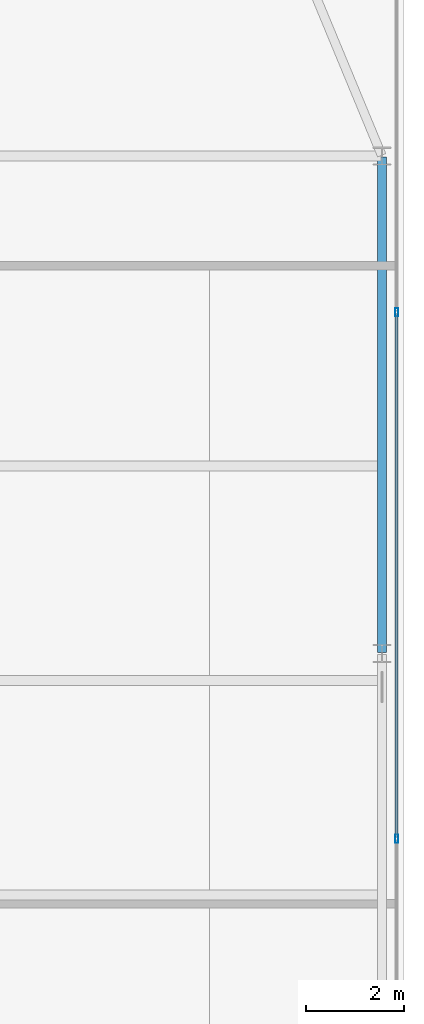
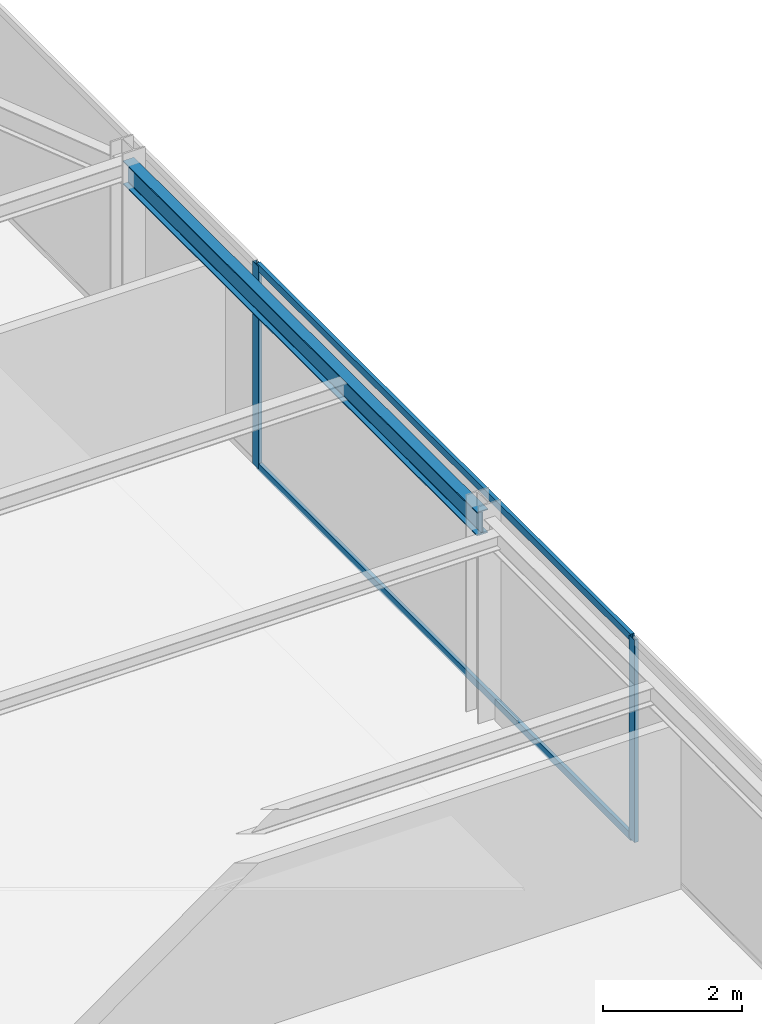
# One storey, part 18 of 31: 4 members, 1 beam, 1 element without a shape of its own.
"""IFC4 building model written with IfcOpenShell, lengths in metres."""

import ifcopenshell
import ifcopenshell.guid

model = None  # the IFC model being written
_history = None  # IfcOwnerHistory: only IFC2X3 demands one
_inside = {}  # id of a spatial element -> (the spatial element, [elements in it])
_under = {}  # id of a project, library or spatial element -> (it, [spatial elements below it])
_declared = {}  # id of a project -> (the project, [libraries it declares])
_typed = {}  # id of a type object -> (the type object, [elements of that type])
_made_of = {}  # id of a material, layer set ... -> (it, [elements and type objects made of it])


def new_model(schema):
    """Start an empty IFC model of exactly this schema.

    Asked for "IFC4X3", IfcOpenShell would pick the latest addendum, in which some entities
    have other attributes; the version numbers below select the first issue.
    IFC2X3 requires an IfcOwnerHistory on every rooted entity: one is made here for all.
    """
    global model, _history
    if schema == "IFC4X3":
        model = ifcopenshell.file(schema_version=(4, 3, 0, 0))
    else:
        model = ifcopenshell.file(schema=schema)
    _inside.clear()
    _under.clear()
    _declared.clear()
    _typed.clear()
    _made_of.clear()
    _history = None
    if model.schema == "IFC2X3":
        org = make("IfcOrganization", Name="unknown")
        user = make(
            "IfcPersonAndOrganization",
            ThePerson=make("IfcPerson", FamilyName="unknown"),
            TheOrganization=org,
        )
        app = make(
            "IfcApplication",
            ApplicationDeveloper=org,
            Version="unknown",
            ApplicationFullName="unknown",
            ApplicationIdentifier="unknown",
        )
        _history = make(
            "IfcOwnerHistory",
            OwningUser=user,
            OwningApplication=app,
            ChangeAction="ADDED",
            CreationDate=0,
        )
    return model


def make(cls, **values):
    """One entity of the class cls with the attributes given. An attribute that is None is left unset."""
    return model.create_entity(
        cls, **{name: value for name, value in values.items() if value is not None}
    )


def rooted(cls, **values):
    """An entity with a GlobalId (a new one), such as an element, a storey or a relation."""
    return make(cls, GlobalId=ifcopenshell.guid.new(), OwnerHistory=_history, **values)


def si_unit(unit_type, name, prefix=None):
    """IfcSIUnit, for example si_unit("LENGTHUNIT", "METRE", prefix="MILLI")."""
    return make("IfcSIUnit", UnitType=unit_type, Prefix=prefix, Name=name)


def assignment(units):
    """IfcUnitAssignment: the units of a project."""
    return None if units is None else make("IfcUnitAssignment", Units=units)


def point(xyz):
    """IfcCartesianPoint."""
    return None if xyz is None else make("IfcCartesianPoint", Coordinates=xyz)


def direction(xyz):
    """IfcDirection."""
    return None if xyz is None else make("IfcDirection", DirectionRatios=xyz)


def frame(location, z_axis=None, x_axis=None):
    """IfcAxis2Placement3D, a coordinate frame: its origin and axes. An axis left out is left unset."""
    return make(
        "IfcAxis2Placement3D",
        Location=point(location),
        Axis=direction(z_axis),
        RefDirection=direction(x_axis),
    )


def frame_2d(location, x_axis=None):
    """IfcAxis2Placement2D, a coordinate frame in the plane: its origin and x axis."""
    return make(
        "IfcAxis2Placement2D", Location=point(location), RefDirection=direction(x_axis)
    )


def origin():
    """The frame at (0, 0, 0) with its axes left unset."""
    return frame((0.0, 0.0, 0.0))


def origin_2d():
    """The frame at (0, 0) in the plane with its x axis left unset."""
    return frame_2d((0.0, 0.0))


def place(relative_to, where):
    """IfcLocalPlacement: puts the frame where relative to a parent placement (None: the world)."""
    return make(
        "IfcLocalPlacement", PlacementRelTo=relative_to, RelativePlacement=where
    )


def context(
    kind, dimensions, precision=None, world=None, true_north=None, identifier=None
):
    """IfcGeometricRepresentationContext, for example the 3D "Model" context."""
    return make(
        "IfcGeometricRepresentationContext",
        ContextIdentifier=identifier,
        ContextType=kind,
        CoordinateSpaceDimension=dimensions,
        Precision=precision,
        WorldCoordinateSystem=world,
        TrueNorth=true_north,
    )


def subcontext(parent, identifier, kind, view, scale=None):
    """IfcGeometricRepresentationSubContext, for example "Body" below "Model"."""
    return make(
        "IfcGeometricRepresentationSubContext",
        ContextIdentifier=identifier,
        ContextType=kind,
        ParentContext=parent,
        TargetScale=scale,
        TargetView=view,
    )


def project(units=None, contexts=None):
    """IfcProject with its units and contexts."""
    return rooted(
        "IfcProject",
        Name="project",
        RepresentationContexts=contexts,
        UnitsInContext=assignment(units),
    )


def spatial(cls, under=None, at=None, **own):
    """A site, building, storey or space (cls), placed at a placement, below another one or the project."""
    s = rooted(cls, ObjectPlacement=at, **own)
    if under is not None:
        _under.setdefault(under.id(), (under, []))[1].append(s)
    return s


def profile(cls, at=None, kind="AREA", **sizes):
    """A parametric profile (cls). Its sizes go by their IFC names, for example OverallWidth=200.0."""
    return make(cls, ProfileType=kind, Position=at, **sizes)


def hollow_rectangle(**sizes):
    """IfcRectangleHollowProfileDef."""
    return profile("IfcRectangleHollowProfileDef", **sizes)


def i_section(**sizes):
    """IfcIShapeProfileDef."""
    return profile("IfcIShapeProfileDef", **sizes)


def extrude(swept, where, along, depth):
    """IfcExtrudedAreaSolid: the profile swept, set in the frame where, extruded along a direction by depth."""
    return make(
        "IfcExtrudedAreaSolid",
        SweptArea=swept,
        Position=where,
        ExtrudedDirection=direction(along),
        Depth=depth,
    )


def shape(context_of_items, identifier, shape_type, items):
    """IfcShapeRepresentation: the items that make up one representation, for example the "Body"."""
    return make(
        "IfcShapeRepresentation",
        ContextOfItems=context_of_items,
        RepresentationIdentifier=identifier,
        RepresentationType=shape_type,
        Items=items,
    )


def source(mapping_origin, context_of_items, identifier, shape_type, items):
    """IfcRepresentationMap: a shape defined once, which mapped items show again and again."""
    return make(
        "IfcRepresentationMap",
        MappingOrigin=mapping_origin,
        MappedRepresentation=shape(context_of_items, identifier, shape_type, items),
    )


def transform(
    local_origin,
    x_axis=None,
    y_axis=None,
    z_axis=None,
    scale=None,
    scale2=None,
    scale3=None,
    uniform=True,
):
    """IfcCartesianTransformationOperator3D, or its non-uniform kind. x_axis, y_axis, z_axis: its Axis1, 2, 3."""
    if uniform:
        return make(
            "IfcCartesianTransformationOperator3D",
            Axis1=direction(x_axis),
            Axis2=direction(y_axis),
            LocalOrigin=point(local_origin),
            Scale=scale,
            Axis3=direction(z_axis),
        )
    return make(
        "IfcCartesianTransformationOperator3DnonUniform",
        Axis1=direction(x_axis),
        Axis2=direction(y_axis),
        LocalOrigin=point(local_origin),
        Scale=scale,
        Axis3=direction(z_axis),
        Scale2=scale2,
        Scale3=scale3,
    )


def mapped(mapping_source, mapping_target):
    """IfcMappedItem: shows the shape of a source again, moved by a transform."""
    return make(
        "IfcMappedItem", MappingSource=mapping_source, MappingTarget=mapping_target
    )


def material(Name=None, Category=None):
    """IfcMaterial."""
    return make("IfcMaterial", Name=Name, Category=Category)


def layer(
    of_material, thickness, ventilated=None, Name=None, Category=None, Priority=None
):
    """IfcMaterialLayer: one layer of a wall or slab, of a material (None: an air gap)."""
    return make(
        "IfcMaterialLayer",
        Material=of_material,
        LayerThickness=thickness,
        IsVentilated=ventilated,
        Name=Name,
        Category=Category,
        Priority=Priority,
    )


def layer_set(layers, Name=None):
    """IfcMaterialLayerSet."""
    return make("IfcMaterialLayerSet", MaterialLayers=layers, LayerSetName=Name)


def material_profile(
    of_material, cross_section, Name=None, Category=None, Priority=None
):
    """IfcMaterialProfile: a cross section and its material."""
    return make(
        "IfcMaterialProfile",
        Name=Name,
        Material=of_material,
        Profile=cross_section,
        Priority=Priority,
        Category=Category,
    )


def profile_set(profiles, Name=None, composite=None):
    """IfcMaterialProfileSet."""
    return make(
        "IfcMaterialProfileSet",
        Name=Name,
        MaterialProfiles=profiles,
        CompositeProfile=composite,
    )


def made_of(thing, what):
    """Note that an element or type object is made of a material, layer set ...; save() writes the relation."""
    if what is not None:
        _made_of.setdefault(what.id(), (what, []))[1].append(thing)
    return thing


def type_object(cls, material=None, **own):
    """A type object (cls), such as IfcWallType, which elements share."""
    return made_of(rooted(cls, **own), material)


def type_shapes(of_type, sources):
    """Give a type object the sources (RepresentationMaps) that its elements show as mapped items."""
    of_type.RepresentationMaps = sources


def element(
    cls,
    number,
    at=None,
    inside=None,
    cuts=None,
    type_object=None,
    material=None,
    context=None,
    identifier="Body",
    shape_type=None,
    held_by="IfcProductDefinitionShape",
    body=None,
    shapes=None,
    **own,
):
    """One element of the class cls, such as IfcWall. Its Tag is "e" and its number.

    at: its placement. inside: the storey or other place that contains it. cuts: it is an
    opening in that element (IfcRelVoidsElement). A single representation is given by context,
    identifier, shape_type and body (its items); several are given by shapes. held_by: the class
    of the entity that holds the representations. save() writes the other relations.
    """
    e = rooted(cls, Tag="e%d" % number, ObjectPlacement=at, **own)
    if body is not None:
        shapes = [shape(context, identifier, shape_type, body)]
    if shapes is not None:
        e.Representation = make(held_by, Representations=shapes)
    if inside is not None:
        _inside.setdefault(inside.id(), (inside, []))[1].append(e)
    if cuts is not None:
        rooted(
            "IfcRelVoidsElement", RelatingBuildingElement=cuts, RelatedOpeningElement=e
        )
    if type_object is not None:
        _typed.setdefault(type_object.id(), (type_object, []))[1].append(e)
    return made_of(e, material)


def aggregate(whole, parts):
    """IfcRelAggregates: a whole, such as a stair, and the parts it consists of."""
    return rooted("IfcRelAggregates", RelatingObject=whole, RelatedObjects=parts)


def save(model, path):
    """Write the relations noted so far, then the file.

    IfcRelAggregates (storeys below a building ...), IfcRelContainedInSpatialStructure (elements
    in a storey), IfcRelDefinesByType, IfcRelAssociatesMaterial and IfcRelDeclares: one each for
    every whole, place, type object, material and project.
    """
    for whole, parts in _under.values():
        aggregate(whole, parts)
    for where, things in _inside.values():
        rooted(
            "IfcRelContainedInSpatialStructure",
            RelatedElements=things,
            RelatingStructure=where,
        )
    for kind, things in _typed.values():
        rooted("IfcRelDefinesByType", RelatedObjects=things, RelatingType=kind)
    for what, things in _made_of.values():
        rooted("IfcRelAssociatesMaterial", RelatedObjects=things, RelatingMaterial=what)
    for by, libraries in _declared.values():
        rooted("IfcRelDeclares", RelatingContext=by, RelatedDefinitions=libraries)
    model.write(path)


model = new_model("IFC4")

# Units and contexts
model_context = context("Model", 3, precision=1e-05, world=origin(), true_north=direction((0.0, 1.0)))
body_context = subcontext(model_context, "Body", "Model", "MODEL_VIEW")
ifc_project = project(units=[si_unit("LENGTHUNIT", "METRE"), si_unit("AREAUNIT", "SQUARE_METRE"), si_unit("VOLUMEUNIT", "CUBIC_METRE"), si_unit("PLANEANGLEUNIT", "RADIAN"), si_unit("MASSUNIT", "GRAM", prefix="KILO")], contexts=[model_context])

# Site, building, storey
site_placement = place(None, origin())
site = spatial("IfcSite", under=ifc_project, at=site_placement, CompositionType="ELEMENT")
building_placement = place(site_placement, origin())
building = spatial("IfcBuilding", under=site, at=building_placement, Name="Varnel Quay Broadcast Tower", CompositionType="ELEMENT")
storey_placement = place(building_placement, frame((0.0, 0.0, 153.39990234375)))
storey = spatial("IfcBuildingStorey", under=building, at=storey_placement, Name="L37", CompositionType="ELEMENT", Elevation=153.39990234375)

# Beam
ifc_material_1 = material(Name="Structural Steel CSA G40.21 350W", Category="steel")
ifc_material_profile_1 = material_profile(ifc_material_1, i_section(OverallWidth=0.180908203125, OverallDepth=0.4169921875, WebThickness=0.010986328125, FlangeThickness=0.018310546875, FilletRadius=0.011962890625, at=origin_2d()), Name="W410X85")
ifc_profile_set_1 = profile_set([ifc_material_profile_1], Name="Structural Steel CSA G40.21 350W")
beam_type = type_object("IfcBeamType", Name="Beam_W410X85", PredefinedType="SPANDREL", material=ifc_profile_set_1)
shared_shape_1 = source(origin(), body_context, "Body", "SweptSolid", [
    extrude(i_section(OverallWidth=0.180908203125, OverallDepth=0.4169921875, WebThickness=0.010986328125, FlangeThickness=0.018310546875, FilletRadius=0.011962890625, at=origin_2d()), origin(), (0.0, 0.0, 1.0), 10.16015625),
])
type_shapes(beam_type, [shared_shape_1])
beam_placement = place(storey_placement, frame((60.550048828125, 25.419921875, 3.341552734375), z_axis=(0.0, 1.0, 0.0), x_axis=(-1.0, 0.0, 0.0)))
element("IfcBeam", 1, at=beam_placement, inside=storey, type_object=beam_type, Name="L37 East Spandrel TC-E2-TC-E3", PredefinedType="SPANDREL", context=body_context, shape_type="MappedRepresentation", body=[
    mapped(shared_shape_1, transform((0.0, 0.0, 0.0), x_axis=(1.0, 0.0, 0.0), y_axis=(0.0, 1.0, 0.0), z_axis=(0.0, 0.0, 1.0), scale=1.0)),
])

# Curtain wall, members
ifc_material_2 = material(Name="Anodised Bronze Aluminium 6063-T6", Category="aluminium")
ifc_layer = layer(ifc_material_2, 0.18994140625, Name="Anodised Bronze Aluminium 6063-T6")
ifc_layer_set = layer_set([ifc_layer], Name="Anodised Bronze Aluminium 6063-T6")
curtain_wall_type = type_object("IfcCurtainWallType", Name="CW_UpperTower", PredefinedType="NOTDEFINED", material=ifc_layer_set)
curtain_wall_placement = place(storey_placement, origin())
curtain_wall = element("IfcCurtainWall", 2, at=curtain_wall_placement, inside=storey, type_object=curtain_wall_type, Name="L37 East Unitised Curtain Wall", PredefinedType="NOTDEFINED")
ifc_material_profile_2 = material_profile(ifc_material_2, hollow_rectangle(XDim=0.06494140625, YDim=0.1650390625, WallThickness=0.00341796875, at=origin_2d()), Name="ALU65X165X3.5")
ifc_profile_set_2 = profile_set([ifc_material_profile_2], Name="Anodised Bronze Aluminium 6063-T6")
member_type_1 = type_object("IfcMemberType", Name="Mull_CWS-03", PredefinedType="MULLION", material=ifc_profile_set_2)
shared_shape_2 = source(origin(), body_context, "Body", "SweptSolid", [
    extrude(hollow_rectangle(XDim=0.06494140625, YDim=0.1650390625, WallThickness=0.00341796875, at=origin_2d()), origin(), (0.0, 0.0, 1.0), 3.550048828125),
])
type_shapes(member_type_1, [shared_shape_2])
member_1_placement = place(storey_placement, frame((60.85009765625, 21.60009765625, 0.0), z_axis=(0.0, 0.0, 1.0), x_axis=(-1.0, 0.0, 0.0)))
member_1 = element("IfcMember", 3, at=member_1_placement, type_object=member_type_1, Name="CWS-03 mullion 2", PredefinedType="MULLION", context=body_context, shape_type="MappedRepresentation", body=[
    mapped(shared_shape_2, transform((0.0, 0.0, 0.0), x_axis=(1.0, 0.0, 0.0), y_axis=(0.0, 1.0, 0.0), z_axis=(0.0, 0.0, 1.0), scale=1.0)),
])
member_2_placement = place(storey_placement, frame((60.85009765625, 32.39990234375, 0.0), z_axis=(0.0, 0.0, 1.0), x_axis=(-1.0, 0.0, 0.0)))
member_2 = element("IfcMember", 4, at=member_2_placement, type_object=member_type_1, Name="CWS-03 mullion 3", PredefinedType="MULLION", context=body_context, shape_type="MappedRepresentation", body=[
    mapped(shared_shape_2, transform((0.0, 0.0, 0.0), x_axis=(1.0, 0.0, 0.0), y_axis=(0.0, 1.0, 0.0), z_axis=(0.0, 0.0, 1.0), scale=1.0)),
])
ifc_material_profile_3 = material_profile(ifc_material_2, hollow_rectangle(XDim=0.06005859375, YDim=0.125, WallThickness=0.0029296875, at=origin_2d()), Name="ALU60X125X3")
ifc_profile_set_3 = profile_set([ifc_material_profile_3], Name="Anodised Bronze Aluminium 6063-T6")
member_type_2 = type_object("IfcMemberType", Name="Tran_CWS-03", PredefinedType="USERDEFINED", material=ifc_profile_set_3)
shared_shape_3 = source(origin(), body_context, "Body", "SweptSolid", [
    extrude(hollow_rectangle(XDim=0.06005859375, YDim=0.125, WallThickness=0.0029296875, at=origin_2d()), origin(), (0.0, 0.0, 1.0), 10.73486328125),
])
type_shapes(member_type_2, [shared_shape_3])
member_3_placement = place(storey_placement, frame((60.85009765625, 21.632568359375, 0.030029296875), z_axis=(0.0, 1.0, 0.0), x_axis=(-1.0, 0.0, 0.0)))
member_3 = element("IfcMember", 5, at=member_3_placement, type_object=member_type_2, Name="CWS-03 transom 2.1", ObjectType="TRANSOM", PredefinedType="USERDEFINED", context=body_context, shape_type="MappedRepresentation", body=[
    mapped(shared_shape_3, transform((0.0, 0.0, 0.0), x_axis=(1.0, 0.0, 0.0), y_axis=(0.0, 1.0, 0.0), z_axis=(0.0, 0.0, 1.0), scale=1.0)),
])
member_4_placement = place(storey_placement, frame((60.85009765625, 21.632568359375, 3.52001953125), z_axis=(0.0, 1.0, 0.0), x_axis=(-1.0, 0.0, 0.0)))
member_4 = element("IfcMember", 6, at=member_4_placement, type_object=member_type_2, Name="CWS-03 transom 2.2", ObjectType="TRANSOM", PredefinedType="USERDEFINED", context=body_context, shape_type="MappedRepresentation", body=[
    mapped(shared_shape_3, transform((0.0, 0.0, 0.0), x_axis=(1.0, 0.0, 0.0), y_axis=(0.0, 1.0, 0.0), z_axis=(0.0, 0.0, 1.0), scale=1.0)),
])
aggregate(curtain_wall, [member_1, member_2, member_3, member_4])

save(model, "model.ifc")
